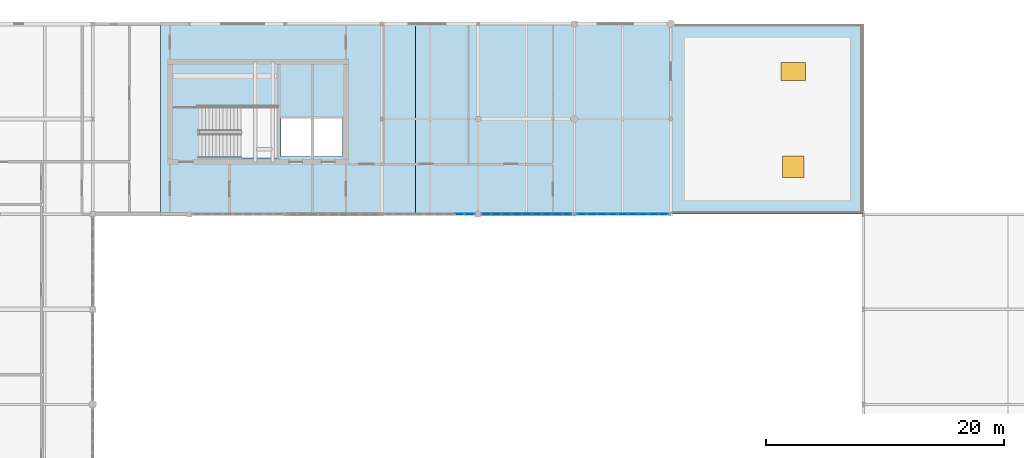
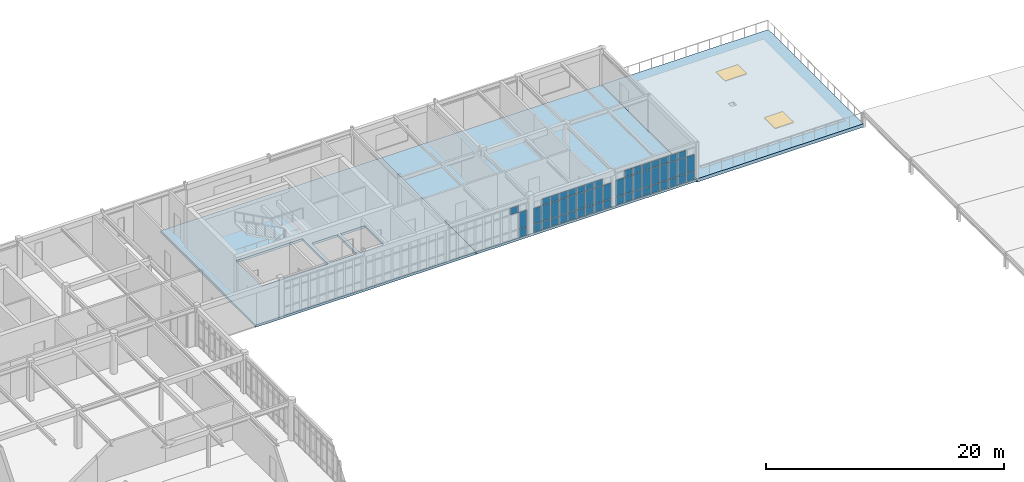
# One storey, part 27 of 36: 53 plates, 3 slabs, 2 windows, 2 openings, 3 elements without a shape of their own.
"""IFC4 building model written with IfcOpenShell, lengths in metres."""

import ifcopenshell
import ifcopenshell.guid

model = None  # the IFC model being written
_history = None  # IfcOwnerHistory: only IFC2X3 demands one
_inside = {}  # id of a spatial element -> (the spatial element, [elements in it])
_under = {}  # id of a project, library or spatial element -> (it, [spatial elements below it])
_declared = {}  # id of a project -> (the project, [libraries it declares])
_typed = {}  # id of a type object -> (the type object, [elements of that type])
_made_of = {}  # id of a material, layer set ... -> (it, [elements and type objects made of it])


def new_model(schema):
    """Start an empty IFC model of exactly this schema.

    Asked for "IFC4X3", IfcOpenShell would pick the latest addendum, in which some entities
    have other attributes; the version numbers below select the first issue.
    IFC2X3 requires an IfcOwnerHistory on every rooted entity: one is made here for all.
    """
    global model, _history
    if schema == "IFC4X3":
        model = ifcopenshell.file(schema_version=(4, 3, 0, 0))
    else:
        model = ifcopenshell.file(schema=schema)
    _inside.clear()
    _under.clear()
    _declared.clear()
    _typed.clear()
    _made_of.clear()
    _history = None
    if model.schema == "IFC2X3":
        org = make("IfcOrganization", Name="unknown")
        user = make(
            "IfcPersonAndOrganization",
            ThePerson=make("IfcPerson", FamilyName="unknown"),
            TheOrganization=org,
        )
        app = make(
            "IfcApplication",
            ApplicationDeveloper=org,
            Version="unknown",
            ApplicationFullName="unknown",
            ApplicationIdentifier="unknown",
        )
        _history = make(
            "IfcOwnerHistory",
            OwningUser=user,
            OwningApplication=app,
            ChangeAction="ADDED",
            CreationDate=0,
        )
    return model


def make(cls, **values):
    """One entity of the class cls with the attributes given. An attribute that is None is left unset."""
    return model.create_entity(
        cls, **{name: value for name, value in values.items() if value is not None}
    )


def rooted(cls, **values):
    """An entity with a GlobalId (a new one), such as an element, a storey or a relation."""
    return make(cls, GlobalId=ifcopenshell.guid.new(), OwnerHistory=_history, **values)


def si_unit(unit_type, name, prefix=None):
    """IfcSIUnit, for example si_unit("LENGTHUNIT", "METRE", prefix="MILLI")."""
    return make("IfcSIUnit", UnitType=unit_type, Prefix=prefix, Name=name)


def assignment(units):
    """IfcUnitAssignment: the units of a project."""
    return None if units is None else make("IfcUnitAssignment", Units=units)


def point(xyz):
    """IfcCartesianPoint."""
    return None if xyz is None else make("IfcCartesianPoint", Coordinates=xyz)


def direction(xyz):
    """IfcDirection."""
    return None if xyz is None else make("IfcDirection", DirectionRatios=xyz)


def frame(location, z_axis=None, x_axis=None):
    """IfcAxis2Placement3D, a coordinate frame: its origin and axes. An axis left out is left unset."""
    return make(
        "IfcAxis2Placement3D",
        Location=point(location),
        Axis=direction(z_axis),
        RefDirection=direction(x_axis),
    )


def frame_2d(location, x_axis=None):
    """IfcAxis2Placement2D, a coordinate frame in the plane: its origin and x axis."""
    return make(
        "IfcAxis2Placement2D", Location=point(location), RefDirection=direction(x_axis)
    )


def origin():
    """The frame at (0, 0, 0) with its axes left unset."""
    return frame((0.0, 0.0, 0.0))


def origin_2d():
    """The frame at (0, 0) in the plane with its x axis left unset."""
    return frame_2d((0.0, 0.0))


def place(relative_to, where):
    """IfcLocalPlacement: puts the frame where relative to a parent placement (None: the world)."""
    return make(
        "IfcLocalPlacement", PlacementRelTo=relative_to, RelativePlacement=where
    )


def context(
    kind, dimensions, precision=None, world=None, true_north=None, identifier=None
):
    """IfcGeometricRepresentationContext, for example the 3D "Model" context."""
    return make(
        "IfcGeometricRepresentationContext",
        ContextIdentifier=identifier,
        ContextType=kind,
        CoordinateSpaceDimension=dimensions,
        Precision=precision,
        WorldCoordinateSystem=world,
        TrueNorth=true_north,
    )


def subcontext(parent, identifier, kind, view, scale=None):
    """IfcGeometricRepresentationSubContext, for example "Body" below "Model"."""
    return make(
        "IfcGeometricRepresentationSubContext",
        ContextIdentifier=identifier,
        ContextType=kind,
        ParentContext=parent,
        TargetScale=scale,
        TargetView=view,
    )


def project(units=None, contexts=None):
    """IfcProject with its units and contexts."""
    return rooted(
        "IfcProject",
        Name="project",
        RepresentationContexts=contexts,
        UnitsInContext=assignment(units),
    )


def spatial(cls, under=None, at=None, **own):
    """A site, building, storey or space (cls), placed at a placement, below another one or the project."""
    s = rooted(cls, ObjectPlacement=at, **own)
    if under is not None:
        _under.setdefault(under.id(), (under, []))[1].append(s)
    return s


def polyline(points):
    """IfcPolyline through the points."""
    return make("IfcPolyline", Points=[point(p) for p in points])


def profile(cls, at=None, kind="AREA", **sizes):
    """A parametric profile (cls). Its sizes go by their IFC names, for example OverallWidth=200.0."""
    return make(cls, ProfileType=kind, Position=at, **sizes)


def rectangle(**sizes):
    """IfcRectangleProfileDef."""
    return profile("IfcRectangleProfileDef", **sizes)


def outline(outer, holes=None, kind="AREA"):
    """IfcArbitraryClosedProfileDef: a profile drawn as a closed curve; with holes, ...WithVoids."""
    if holes is None:
        return make("IfcArbitraryClosedProfileDef", ProfileType=kind, OuterCurve=outer)
    return make(
        "IfcArbitraryProfileDefWithVoids",
        ProfileType=kind,
        OuterCurve=outer,
        InnerCurves=holes,
    )


def extrude(swept, where, along, depth):
    """IfcExtrudedAreaSolid: the profile swept, set in the frame where, extruded along a direction by depth."""
    return make(
        "IfcExtrudedAreaSolid",
        SweptArea=swept,
        Position=where,
        ExtrudedDirection=direction(along),
        Depth=depth,
    )


def shape(context_of_items, identifier, shape_type, items):
    """IfcShapeRepresentation: the items that make up one representation, for example the "Body"."""
    return make(
        "IfcShapeRepresentation",
        ContextOfItems=context_of_items,
        RepresentationIdentifier=identifier,
        RepresentationType=shape_type,
        Items=items,
    )


def material(Name=None, Category=None):
    """IfcMaterial."""
    return make("IfcMaterial", Name=Name, Category=Category)


def layer(
    of_material, thickness, ventilated=None, Name=None, Category=None, Priority=None
):
    """IfcMaterialLayer: one layer of a wall or slab, of a material (None: an air gap)."""
    return make(
        "IfcMaterialLayer",
        Material=of_material,
        LayerThickness=thickness,
        IsVentilated=ventilated,
        Name=Name,
        Category=Category,
        Priority=Priority,
    )


def layer_set(layers, Name=None):
    """IfcMaterialLayerSet."""
    return make("IfcMaterialLayerSet", MaterialLayers=layers, LayerSetName=Name)


def made_of(thing, what):
    """Note that an element or type object is made of a material, layer set ...; save() writes the relation."""
    if what is not None:
        _made_of.setdefault(what.id(), (what, []))[1].append(thing)
    return thing


def type_object(cls, material=None, **own):
    """A type object (cls), such as IfcWallType, which elements share."""
    return made_of(rooted(cls, **own), material)


def element(
    cls,
    number,
    at=None,
    inside=None,
    cuts=None,
    type_object=None,
    material=None,
    context=None,
    identifier="Body",
    shape_type=None,
    held_by="IfcProductDefinitionShape",
    body=None,
    shapes=None,
    **own,
):
    """One element of the class cls, such as IfcWall. Its Tag is "e" and its number.

    at: its placement. inside: the storey or other place that contains it. cuts: it is an
    opening in that element (IfcRelVoidsElement). A single representation is given by context,
    identifier, shape_type and body (its items); several are given by shapes. held_by: the class
    of the entity that holds the representations. save() writes the other relations.
    """
    e = rooted(cls, Tag="e%d" % number, ObjectPlacement=at, **own)
    if body is not None:
        shapes = [shape(context, identifier, shape_type, body)]
    if shapes is not None:
        e.Representation = make(held_by, Representations=shapes)
    if inside is not None:
        _inside.setdefault(inside.id(), (inside, []))[1].append(e)
    if cuts is not None:
        rooted(
            "IfcRelVoidsElement", RelatingBuildingElement=cuts, RelatedOpeningElement=e
        )
    if type_object is not None:
        _typed.setdefault(type_object.id(), (type_object, []))[1].append(e)
    return made_of(e, material)


def fill(opening, filler):
    """IfcRelFillsElement: the door or window that sits in an opening."""
    return rooted(
        "IfcRelFillsElement",
        RelatingOpeningElement=opening,
        RelatedBuildingElement=filler,
    )


def aggregate(whole, parts):
    """IfcRelAggregates: a whole, such as a stair, and the parts it consists of."""
    return rooted("IfcRelAggregates", RelatingObject=whole, RelatedObjects=parts)


def save(model, path):
    """Write the relations noted so far, then the file.

    IfcRelAggregates (storeys below a building ...), IfcRelContainedInSpatialStructure (elements
    in a storey), IfcRelDefinesByType, IfcRelAssociatesMaterial and IfcRelDeclares: one each for
    every whole, place, type object, material and project.
    """
    for whole, parts in _under.values():
        aggregate(whole, parts)
    for where, things in _inside.values():
        rooted(
            "IfcRelContainedInSpatialStructure",
            RelatedElements=things,
            RelatingStructure=where,
        )
    for kind, things in _typed.values():
        rooted("IfcRelDefinesByType", RelatedObjects=things, RelatingType=kind)
    for what, things in _made_of.values():
        rooted("IfcRelAssociatesMaterial", RelatedObjects=things, RelatingMaterial=what)
    for by, libraries in _declared.values():
        rooted("IfcRelDeclares", RelatingContext=by, RelatedDefinitions=libraries)
    model.write(path)


model = new_model("IFC4")

# Units and contexts
model_context = context("Model", 3, precision=1e-05, world=origin(), true_north=direction((0.0, 1.0)))
body_context = subcontext(model_context, "Body", "Model", "MODEL_VIEW")
ifc_project = project(units=[si_unit("LENGTHUNIT", "METRE"), si_unit("AREAUNIT", "SQUARE_METRE"), si_unit("VOLUMEUNIT", "CUBIC_METRE"), si_unit("PLANEANGLEUNIT", "RADIAN"), si_unit("MASSUNIT", "GRAM", prefix="KILO")], contexts=[model_context])

# Site, building, storey
site_placement = place(None, origin())
site = spatial("IfcSite", under=ifc_project, at=site_placement, CompositionType="ELEMENT")
building_placement = place(site_placement, origin())
building = spatial("IfcBuilding", under=site, at=building_placement, Name="Tarnveldt Square Police Headquarters", CompositionType="ELEMENT")
storey_placement = place(building_placement, frame((0.0, 0.0, 24.89990234375)))
storey = spatial("IfcBuildingStorey", under=building, at=storey_placement, Name="L05", CompositionType="ELEMENT", Elevation=24.89990234375)

# Curtain wall, plates
ifc_material_1 = material(Name="Triple-glazed low-e laminated vision glass", Category="glass")
curtain_wall_type_1 = type_object("IfcCurtainWallType", Name="CW-LB-769x339", PredefinedType="USERDEFINED", material=ifc_material_1)
curtain_wall_1_placement = place(storey_placement, origin())
curtain_wall_1 = element("IfcCurtainWall", 1, at=curtain_wall_1_placement, inside=storey, type_object=curtain_wall_type_1, Name="L05 Curtain Wall CW-L05-135", ObjectType="GLAZED CURTAIN WALL", PredefinedType="USERDEFINED")
ifc_layer_1 = layer(ifc_material_1, 0.028076171875)
ifc_layer_set_1 = layer_set([ifc_layer_1], Name="Triple-glazed low-e laminated vision glass")
plate_type = type_object("IfcPlateType", Name="CWP-VIS-28", PredefinedType="CURTAIN_PANEL", material=ifc_layer_set_1)
plate_1_placement = place(storey_placement, frame((71.353271484375, 96.0, 2.67138671875), z_axis=(0.0, 0.0, 1.0), x_axis=(1.0, 0.0, 0.0)))
plate_1 = element("IfcPlate", 2, at=plate_1_placement, type_object=plate_type, Name="CW-LB82 panel 8.3", PredefinedType="CURTAIN_PANEL", context=body_context, shape_type="SweptSolid", body=[
    extrude(rectangle(XDim=0.779541015625, YDim=0.028076171875, at=origin_2d()), origin(), (0.0, 0.0, 1.0), 0.652587890625),
])
plate_2_placement = place(storey_placement, frame((72.18896484375, 96.0, 0.06494140625), z_axis=(0.0, 0.0, 1.0), x_axis=(1.0, 0.0, 0.0)))
plate_2 = element("IfcPlate", 3, at=plate_2_placement, type_object=plate_type, Name="CW-LB82 panel 9.1", PredefinedType="CURTAIN_PANEL", context=body_context, shape_type="SweptSolid", body=[
    extrude(rectangle(XDim=0.741943359375, YDim=0.028076171875, at=origin_2d()), origin(), (0.0, 0.0, 1.0), 0.802490234375),
])
plate_3_placement = place(storey_placement, frame((72.18896484375, 96.0, 0.9326171875), z_axis=(0.0, 0.0, 1.0), x_axis=(1.0, 0.0, 0.0)))
plate_3 = element("IfcPlate", 4, at=plate_3_placement, type_object=plate_type, Name="CW-LB82 panel 9.2", PredefinedType="CURTAIN_PANEL", context=body_context, shape_type="SweptSolid", body=[
    extrude(rectangle(XDim=0.741943359375, YDim=0.028076171875, at=origin_2d()), origin(), (0.0, 0.0, 1.0), 1.674072265625),
])
aggregate(curtain_wall_1, [plate_1, plate_2, plate_3])

curtain_wall_type_2 = type_object("IfcCurtainWallType", Name="CW-LB-766x330", PredefinedType="USERDEFINED", material=ifc_material_1)
curtain_wall_2_placement = place(storey_placement, origin())
curtain_wall_2 = element("IfcCurtainWall", 5, at=curtain_wall_2_placement, inside=storey, type_object=curtain_wall_type_2, Name="L05 Curtain Wall CW-L05-136", ObjectType="GLAZED CURTAIN WALL", PredefinedType="USERDEFINED")
plate_4_placement = place(storey_placement, frame((73.609130859375, 96.0, 0.06494140625), z_axis=(0.0, 0.0, 1.0), x_axis=(1.0, 0.0, 0.0)))
plate_4 = element("IfcPlate", 6, at=plate_4_placement, type_object=plate_type, Name="CW-LB83 panel 1.1", PredefinedType="CURTAIN_PANEL", context=body_context, shape_type="SweptSolid", body=[
    extrude(rectangle(XDim=0.73828125, YDim=0.028076171875, at=origin_2d()), origin(), (0.0, 0.0, 1.0), 0.802490234375),
])
plate_5_placement = place(storey_placement, frame((73.609130859375, 96.0, 0.9326171875), z_axis=(0.0, 0.0, 1.0), x_axis=(1.0, 0.0, 0.0)))
plate_5 = element("IfcPlate", 7, at=plate_5_placement, type_object=plate_type, Name="CW-LB83 panel 1.2", PredefinedType="CURTAIN_PANEL", context=body_context, shape_type="SweptSolid", body=[
    extrude(rectangle(XDim=0.73828125, YDim=0.028076171875, at=origin_2d()), origin(), (0.0, 0.0, 1.0), 1.5869140625),
])
plate_6_placement = place(storey_placement, frame((74.44140625, 96.0, 0.06494140625), z_axis=(0.0, 0.0, 1.0), x_axis=(1.0, 0.0, 0.0)))
plate_6 = element("IfcPlate", 8, at=plate_6_placement, type_object=plate_type, Name="CW-LB83 panel 2.1", PredefinedType="CURTAIN_PANEL", context=body_context, shape_type="SweptSolid", body=[
    extrude(rectangle(XDim=0.77587890625, YDim=0.028076171875, at=origin_2d()), origin(), (0.0, 0.0, 1.0), 0.802490234375),
])
plate_7_placement = place(storey_placement, frame((74.44140625, 96.0, 0.9326171875), z_axis=(0.0, 0.0, 1.0), x_axis=(1.0, 0.0, 0.0)))
plate_7 = element("IfcPlate", 9, at=plate_7_placement, type_object=plate_type, Name="CW-LB83 panel 2.2", PredefinedType="CURTAIN_PANEL", context=body_context, shape_type="SweptSolid", body=[
    extrude(rectangle(XDim=0.77587890625, YDim=0.028076171875, at=origin_2d()), origin(), (0.0, 0.0, 1.0), 1.5869140625),
])
plate_8_placement = place(storey_placement, frame((74.44140625, 96.0, 2.58447265625), z_axis=(0.0, 0.0, 1.0), x_axis=(1.0, 0.0, 0.0)))
plate_8 = element("IfcPlate", 10, at=plate_8_placement, type_object=plate_type, Name="CW-LB83 panel 2.3", PredefinedType="CURTAIN_PANEL", context=body_context, shape_type="SweptSolid", body=[
    extrude(rectangle(XDim=0.77587890625, YDim=0.028076171875, at=origin_2d()), origin(), (0.0, 0.0, 1.0), 0.652587890625),
])
plate_9_placement = place(storey_placement, frame((75.292236328125, 96.0, 0.06494140625), z_axis=(0.0, 0.0, 1.0), x_axis=(1.0, 0.0, 0.0)))
plate_9 = element("IfcPlate", 11, at=plate_9_placement, type_object=plate_type, Name="CW-LB83 panel 3.1", PredefinedType="CURTAIN_PANEL", context=body_context, shape_type="SweptSolid", body=[
    extrude(rectangle(XDim=0.77587890625, YDim=0.028076171875, at=origin_2d()), origin(), (0.0, 0.0, 1.0), 0.802490234375),
])
plate_10_placement = place(storey_placement, frame((75.292236328125, 96.0, 0.9326171875), z_axis=(0.0, 0.0, 1.0), x_axis=(1.0, 0.0, 0.0)))
plate_10 = element("IfcPlate", 12, at=plate_10_placement, type_object=plate_type, Name="CW-LB83 panel 3.2", PredefinedType="CURTAIN_PANEL", context=body_context, shape_type="SweptSolid", body=[
    extrude(rectangle(XDim=0.77587890625, YDim=0.028076171875, at=origin_2d()), origin(), (0.0, 0.0, 1.0), 1.5869140625),
])
plate_11_placement = place(storey_placement, frame((75.292236328125, 96.0, 2.58447265625), z_axis=(0.0, 0.0, 1.0), x_axis=(1.0, 0.0, 0.0)))
plate_11 = element("IfcPlate", 13, at=plate_11_placement, type_object=plate_type, Name="CW-LB83 panel 3.3", PredefinedType="CURTAIN_PANEL", context=body_context, shape_type="SweptSolid", body=[
    extrude(rectangle(XDim=0.77587890625, YDim=0.028076171875, at=origin_2d()), origin(), (0.0, 0.0, 1.0), 0.652587890625),
])
plate_12_placement = place(storey_placement, frame((76.14306640625, 96.0, 0.06494140625), z_axis=(0.0, 0.0, 1.0), x_axis=(1.0, 0.0, 0.0)))
plate_12 = element("IfcPlate", 14, at=plate_12_placement, type_object=plate_type, Name="CW-LB83 panel 4.1", PredefinedType="CURTAIN_PANEL", context=body_context, shape_type="SweptSolid", body=[
    extrude(rectangle(XDim=0.77587890625, YDim=0.028076171875, at=origin_2d()), origin(), (0.0, 0.0, 1.0), 0.802490234375),
])
plate_13_placement = place(storey_placement, frame((76.14306640625, 96.0, 0.9326171875), z_axis=(0.0, 0.0, 1.0), x_axis=(1.0, 0.0, 0.0)))
plate_13 = element("IfcPlate", 15, at=plate_13_placement, type_object=plate_type, Name="CW-LB83 panel 4.2", PredefinedType="CURTAIN_PANEL", context=body_context, shape_type="SweptSolid", body=[
    extrude(rectangle(XDim=0.77587890625, YDim=0.028076171875, at=origin_2d()), origin(), (0.0, 0.0, 1.0), 1.5869140625),
])
plate_14_placement = place(storey_placement, frame((76.14306640625, 96.0, 2.58447265625), z_axis=(0.0, 0.0, 1.0), x_axis=(1.0, 0.0, 0.0)))
plate_14 = element("IfcPlate", 16, at=plate_14_placement, type_object=plate_type, Name="CW-LB83 panel 4.3", PredefinedType="CURTAIN_PANEL", context=body_context, shape_type="SweptSolid", body=[
    extrude(rectangle(XDim=0.77587890625, YDim=0.028076171875, at=origin_2d()), origin(), (0.0, 0.0, 1.0), 0.652587890625),
])
plate_15_placement = place(storey_placement, frame((76.993896484375, 96.0, 0.06494140625), z_axis=(0.0, 0.0, 1.0), x_axis=(1.0, 0.0, 0.0)))
plate_15 = element("IfcPlate", 17, at=plate_15_placement, type_object=plate_type, Name="CW-LB83 panel 5.1", PredefinedType="CURTAIN_PANEL", context=body_context, shape_type="SweptSolid", body=[
    extrude(rectangle(XDim=0.77587890625, YDim=0.028076171875, at=origin_2d()), origin(), (0.0, 0.0, 1.0), 0.802490234375),
])
plate_16_placement = place(storey_placement, frame((76.993896484375, 96.0, 0.9326171875), z_axis=(0.0, 0.0, 1.0), x_axis=(1.0, 0.0, 0.0)))
plate_16 = element("IfcPlate", 18, at=plate_16_placement, type_object=plate_type, Name="CW-LB83 panel 5.2", PredefinedType="CURTAIN_PANEL", context=body_context, shape_type="SweptSolid", body=[
    extrude(rectangle(XDim=0.77587890625, YDim=0.028076171875, at=origin_2d()), origin(), (0.0, 0.0, 1.0), 1.5869140625),
])
plate_17_placement = place(storey_placement, frame((76.993896484375, 96.0, 2.58447265625), z_axis=(0.0, 0.0, 1.0), x_axis=(1.0, 0.0, 0.0)))
plate_17 = element("IfcPlate", 19, at=plate_17_placement, type_object=plate_type, Name="CW-LB83 panel 5.3", PredefinedType="CURTAIN_PANEL", context=body_context, shape_type="SweptSolid", body=[
    extrude(rectangle(XDim=0.77587890625, YDim=0.028076171875, at=origin_2d()), origin(), (0.0, 0.0, 1.0), 0.652587890625),
])
plate_18_placement = place(storey_placement, frame((77.844970703125, 96.0, 0.06494140625), z_axis=(0.0, 0.0, 1.0), x_axis=(1.0, 0.0, 0.0)))
plate_18 = element("IfcPlate", 20, at=plate_18_placement, type_object=plate_type, Name="CW-LB83 panel 6.1", PredefinedType="CURTAIN_PANEL", context=body_context, shape_type="SweptSolid", body=[
    extrude(rectangle(XDim=0.77587890625, YDim=0.028076171875, at=origin_2d()), origin(), (0.0, 0.0, 1.0), 0.802490234375),
])
plate_19_placement = place(storey_placement, frame((77.844970703125, 96.0, 0.9326171875), z_axis=(0.0, 0.0, 1.0), x_axis=(1.0, 0.0, 0.0)))
plate_19 = element("IfcPlate", 21, at=plate_19_placement, type_object=plate_type, Name="CW-LB83 panel 6.2", PredefinedType="CURTAIN_PANEL", context=body_context, shape_type="SweptSolid", body=[
    extrude(rectangle(XDim=0.77587890625, YDim=0.028076171875, at=origin_2d()), origin(), (0.0, 0.0, 1.0), 1.5869140625),
])
plate_20_placement = place(storey_placement, frame((77.844970703125, 96.0, 2.58447265625), z_axis=(0.0, 0.0, 1.0), x_axis=(1.0, 0.0, 0.0)))
plate_20 = element("IfcPlate", 22, at=plate_20_placement, type_object=plate_type, Name="CW-LB83 panel 6.3", PredefinedType="CURTAIN_PANEL", context=body_context, shape_type="SweptSolid", body=[
    extrude(rectangle(XDim=0.77587890625, YDim=0.028076171875, at=origin_2d()), origin(), (0.0, 0.0, 1.0), 0.652587890625),
])
plate_21_placement = place(storey_placement, frame((78.69580078125, 96.0, 0.06494140625), z_axis=(0.0, 0.0, 1.0), x_axis=(1.0, 0.0, 0.0)))
plate_21 = element("IfcPlate", 23, at=plate_21_placement, type_object=plate_type, Name="CW-LB83 panel 7.1", PredefinedType="CURTAIN_PANEL", context=body_context, shape_type="SweptSolid", body=[
    extrude(rectangle(XDim=0.77587890625, YDim=0.028076171875, at=origin_2d()), origin(), (0.0, 0.0, 1.0), 0.802490234375),
])
plate_22_placement = place(storey_placement, frame((78.69580078125, 96.0, 0.9326171875), z_axis=(0.0, 0.0, 1.0), x_axis=(1.0, 0.0, 0.0)))
plate_22 = element("IfcPlate", 24, at=plate_22_placement, type_object=plate_type, Name="CW-LB83 panel 7.2", PredefinedType="CURTAIN_PANEL", context=body_context, shape_type="SweptSolid", body=[
    extrude(rectangle(XDim=0.77587890625, YDim=0.028076171875, at=origin_2d()), origin(), (0.0, 0.0, 1.0), 1.5869140625),
])
plate_23_placement = place(storey_placement, frame((78.69580078125, 96.0, 2.58447265625), z_axis=(0.0, 0.0, 1.0), x_axis=(1.0, 0.0, 0.0)))
plate_23 = element("IfcPlate", 25, at=plate_23_placement, type_object=plate_type, Name="CW-LB83 panel 7.3", PredefinedType="CURTAIN_PANEL", context=body_context, shape_type="SweptSolid", body=[
    extrude(rectangle(XDim=0.77587890625, YDim=0.028076171875, at=origin_2d()), origin(), (0.0, 0.0, 1.0), 0.652587890625),
])
plate_24_placement = place(storey_placement, frame((79.546630859375, 96.0, 0.06494140625), z_axis=(0.0, 0.0, 1.0), x_axis=(1.0, 0.0, 0.0)))
plate_24 = element("IfcPlate", 26, at=plate_24_placement, type_object=plate_type, Name="CW-LB83 panel 8.1", PredefinedType="CURTAIN_PANEL", context=body_context, shape_type="SweptSolid", body=[
    extrude(rectangle(XDim=0.77587890625, YDim=0.028076171875, at=origin_2d()), origin(), (0.0, 0.0, 1.0), 0.802490234375),
])
plate_25_placement = place(storey_placement, frame((79.546630859375, 96.0, 0.9326171875), z_axis=(0.0, 0.0, 1.0), x_axis=(1.0, 0.0, 0.0)))
plate_25 = element("IfcPlate", 27, at=plate_25_placement, type_object=plate_type, Name="CW-LB83 panel 8.2", PredefinedType="CURTAIN_PANEL", context=body_context, shape_type="SweptSolid", body=[
    extrude(rectangle(XDim=0.77587890625, YDim=0.028076171875, at=origin_2d()), origin(), (0.0, 0.0, 1.0), 1.5869140625),
])
plate_26_placement = place(storey_placement, frame((79.546630859375, 96.0, 2.58447265625), z_axis=(0.0, 0.0, 1.0), x_axis=(1.0, 0.0, 0.0)))
plate_26 = element("IfcPlate", 28, at=plate_26_placement, type_object=plate_type, Name="CW-LB83 panel 8.3", PredefinedType="CURTAIN_PANEL", context=body_context, shape_type="SweptSolid", body=[
    extrude(rectangle(XDim=0.77587890625, YDim=0.028076171875, at=origin_2d()), origin(), (0.0, 0.0, 1.0), 0.652587890625),
])
plate_27_placement = place(storey_placement, frame((80.37890625, 96.0, 0.06494140625), z_axis=(0.0, 0.0, 1.0), x_axis=(1.0, 0.0, 0.0)))
plate_27 = element("IfcPlate", 29, at=plate_27_placement, type_object=plate_type, Name="CW-LB83 panel 9.1", PredefinedType="CURTAIN_PANEL", context=body_context, shape_type="SweptSolid", body=[
    extrude(rectangle(XDim=0.73828125, YDim=0.028076171875, at=origin_2d()), origin(), (0.0, 0.0, 1.0), 0.802490234375),
])
plate_28_placement = place(storey_placement, frame((80.37890625, 96.0, 0.9326171875), z_axis=(0.0, 0.0, 1.0), x_axis=(1.0, 0.0, 0.0)))
plate_28 = element("IfcPlate", 30, at=plate_28_placement, type_object=plate_type, Name="CW-LB83 panel 9.2", PredefinedType="CURTAIN_PANEL", context=body_context, shape_type="SweptSolid", body=[
    extrude(rectangle(XDim=0.73828125, YDim=0.028076171875, at=origin_2d()), origin(), (0.0, 0.0, 1.0), 1.5869140625),
])
aggregate(curtain_wall_2, [plate_4, plate_5, plate_6, plate_7, plate_8, plate_9, plate_10, plate_11, plate_12, plate_13, plate_14, plate_15, plate_16, plate_17, plate_18, plate_19, plate_20, plate_21, plate_22, plate_23, plate_24, plate_25, plate_26, plate_27, plate_28])

curtain_wall_type_3 = type_object("IfcCurtainWallType", Name="CW-LB-778x339", PredefinedType="USERDEFINED", material=ifc_material_1)
curtain_wall_3_placement = place(storey_placement, origin())
curtain_wall_3 = element("IfcCurtainWall", 31, at=curtain_wall_3_placement, inside=storey, type_object=curtain_wall_type_3, Name="L05 Curtain Wall CW-L05-137", ObjectType="GLAZED CURTAIN WALL", PredefinedType="USERDEFINED")
plate_29_placement = place(storey_placement, frame((81.6279296875, 96.0, 0.06494140625), z_axis=(0.0, 0.0, 1.0), x_axis=(1.0, 0.0, 0.0)))
plate_29 = element("IfcPlate", 32, at=plate_29_placement, type_object=plate_type, Name="CW-LB84 panel 1.1", PredefinedType="CURTAIN_PANEL", context=body_context, shape_type="SweptSolid", body=[
    extrude(rectangle(XDim=0.751953125, YDim=0.028076171875, at=origin_2d()), origin(), (0.0, 0.0, 1.0), 0.802490234375),
])
plate_30_placement = place(storey_placement, frame((81.6279296875, 96.0, 0.9326171875), z_axis=(0.0, 0.0, 1.0), x_axis=(1.0, 0.0, 0.0)))
plate_30 = element("IfcPlate", 33, at=plate_30_placement, type_object=plate_type, Name="CW-LB84 panel 1.2", PredefinedType="CURTAIN_PANEL", context=body_context, shape_type="SweptSolid", body=[
    extrude(rectangle(XDim=0.751953125, YDim=0.028076171875, at=origin_2d()), origin(), (0.0, 0.0, 1.0), 1.674072265625),
])
plate_31_placement = place(storey_placement, frame((82.473876953125, 96.0, 0.06494140625), z_axis=(0.0, 0.0, 1.0), x_axis=(1.0, 0.0, 0.0)))
plate_31 = element("IfcPlate", 34, at=plate_31_placement, type_object=plate_type, Name="CW-LB84 panel 2.1", PredefinedType="CURTAIN_PANEL", context=body_context, shape_type="SweptSolid", body=[
    extrude(rectangle(XDim=0.78955078125, YDim=0.028076171875, at=origin_2d()), origin(), (0.0, 0.0, 1.0), 0.802490234375),
])
plate_32_placement = place(storey_placement, frame((82.473876953125, 96.0, 0.9326171875), z_axis=(0.0, 0.0, 1.0), x_axis=(1.0, 0.0, 0.0)))
plate_32 = element("IfcPlate", 35, at=plate_32_placement, type_object=plate_type, Name="CW-LB84 panel 2.2", PredefinedType="CURTAIN_PANEL", context=body_context, shape_type="SweptSolid", body=[
    extrude(rectangle(XDim=0.78955078125, YDim=0.028076171875, at=origin_2d()), origin(), (0.0, 0.0, 1.0), 1.674072265625),
])
plate_33_placement = place(storey_placement, frame((82.473876953125, 96.0, 2.67138671875), z_axis=(0.0, 0.0, 1.0), x_axis=(1.0, 0.0, 0.0)))
plate_33 = element("IfcPlate", 36, at=plate_33_placement, type_object=plate_type, Name="CW-LB84 panel 2.3", PredefinedType="CURTAIN_PANEL", context=body_context, shape_type="SweptSolid", body=[
    extrude(rectangle(XDim=0.78955078125, YDim=0.028076171875, at=origin_2d()), origin(), (0.0, 0.0, 1.0), 0.652587890625),
])
plate_34_placement = place(storey_placement, frame((83.33837890625, 96.0, 0.06494140625), z_axis=(0.0, 0.0, 1.0), x_axis=(1.0, 0.0, 0.0)))
plate_34 = element("IfcPlate", 37, at=plate_34_placement, type_object=plate_type, Name="CW-LB84 panel 3.1", PredefinedType="CURTAIN_PANEL", context=body_context, shape_type="SweptSolid", body=[
    extrude(rectangle(XDim=0.78955078125, YDim=0.028076171875, at=origin_2d()), origin(), (0.0, 0.0, 1.0), 0.802490234375),
])
plate_35_placement = place(storey_placement, frame((83.33837890625, 96.0, 0.9326171875), z_axis=(0.0, 0.0, 1.0), x_axis=(1.0, 0.0, 0.0)))
plate_35 = element("IfcPlate", 38, at=plate_35_placement, type_object=plate_type, Name="CW-LB84 panel 3.2", PredefinedType="CURTAIN_PANEL", context=body_context, shape_type="SweptSolid", body=[
    extrude(rectangle(XDim=0.78955078125, YDim=0.028076171875, at=origin_2d()), origin(), (0.0, 0.0, 1.0), 1.674072265625),
])
plate_36_placement = place(storey_placement, frame((83.33837890625, 96.0, 2.67138671875), z_axis=(0.0, 0.0, 1.0), x_axis=(1.0, 0.0, 0.0)))
plate_36 = element("IfcPlate", 39, at=plate_36_placement, type_object=plate_type, Name="CW-LB84 panel 3.3", PredefinedType="CURTAIN_PANEL", context=body_context, shape_type="SweptSolid", body=[
    extrude(rectangle(XDim=0.78955078125, YDim=0.028076171875, at=origin_2d()), origin(), (0.0, 0.0, 1.0), 0.652587890625),
])
plate_37_placement = place(storey_placement, frame((84.202880859375, 96.0, 0.06494140625), z_axis=(0.0, 0.0, 1.0), x_axis=(1.0, 0.0, 0.0)))
plate_37 = element("IfcPlate", 40, at=plate_37_placement, type_object=plate_type, Name="CW-LB84 panel 4.1", PredefinedType="CURTAIN_PANEL", context=body_context, shape_type="SweptSolid", body=[
    extrude(rectangle(XDim=0.78955078125, YDim=0.028076171875, at=origin_2d()), origin(), (0.0, 0.0, 1.0), 0.802490234375),
])
plate_38_placement = place(storey_placement, frame((84.202880859375, 96.0, 0.9326171875), z_axis=(0.0, 0.0, 1.0), x_axis=(1.0, 0.0, 0.0)))
plate_38 = element("IfcPlate", 41, at=plate_38_placement, type_object=plate_type, Name="CW-LB84 panel 4.2", PredefinedType="CURTAIN_PANEL", context=body_context, shape_type="SweptSolid", body=[
    extrude(rectangle(XDim=0.78955078125, YDim=0.028076171875, at=origin_2d()), origin(), (0.0, 0.0, 1.0), 1.674072265625),
])
plate_39_placement = place(storey_placement, frame((84.202880859375, 96.0, 2.67138671875), z_axis=(0.0, 0.0, 1.0), x_axis=(1.0, 0.0, 0.0)))
plate_39 = element("IfcPlate", 42, at=plate_39_placement, type_object=plate_type, Name="CW-LB84 panel 4.3", PredefinedType="CURTAIN_PANEL", context=body_context, shape_type="SweptSolid", body=[
    extrude(rectangle(XDim=0.78955078125, YDim=0.028076171875, at=origin_2d()), origin(), (0.0, 0.0, 1.0), 0.652587890625),
])
plate_40_placement = place(storey_placement, frame((85.0673828125, 96.0, 0.06494140625), z_axis=(0.0, 0.0, 1.0), x_axis=(1.0, 0.0, 0.0)))
plate_40 = element("IfcPlate", 43, at=plate_40_placement, type_object=plate_type, Name="CW-LB84 panel 5.1", PredefinedType="CURTAIN_PANEL", context=body_context, shape_type="SweptSolid", body=[
    extrude(rectangle(XDim=0.78955078125, YDim=0.028076171875, at=origin_2d()), origin(), (0.0, 0.0, 1.0), 0.802490234375),
])
plate_41_placement = place(storey_placement, frame((85.0673828125, 96.0, 0.9326171875), z_axis=(0.0, 0.0, 1.0), x_axis=(1.0, 0.0, 0.0)))
plate_41 = element("IfcPlate", 44, at=plate_41_placement, type_object=plate_type, Name="CW-LB84 panel 5.2", PredefinedType="CURTAIN_PANEL", context=body_context, shape_type="SweptSolid", body=[
    extrude(rectangle(XDim=0.78955078125, YDim=0.028076171875, at=origin_2d()), origin(), (0.0, 0.0, 1.0), 1.674072265625),
])
plate_42_placement = place(storey_placement, frame((85.0673828125, 96.0, 2.67138671875), z_axis=(0.0, 0.0, 1.0), x_axis=(1.0, 0.0, 0.0)))
plate_42 = element("IfcPlate", 45, at=plate_42_placement, type_object=plate_type, Name="CW-LB84 panel 5.3", PredefinedType="CURTAIN_PANEL", context=body_context, shape_type="SweptSolid", body=[
    extrude(rectangle(XDim=0.78955078125, YDim=0.028076171875, at=origin_2d()), origin(), (0.0, 0.0, 1.0), 0.652587890625),
])
plate_43_placement = place(storey_placement, frame((85.93212890625, 96.0, 0.06494140625), z_axis=(0.0, 0.0, 1.0), x_axis=(1.0, 0.0, 0.0)))
plate_43 = element("IfcPlate", 46, at=plate_43_placement, type_object=plate_type, Name="CW-LB84 panel 6.1", PredefinedType="CURTAIN_PANEL", context=body_context, shape_type="SweptSolid", body=[
    extrude(rectangle(XDim=0.78955078125, YDim=0.028076171875, at=origin_2d()), origin(), (0.0, 0.0, 1.0), 0.802490234375),
])
plate_44_placement = place(storey_placement, frame((85.93212890625, 96.0, 0.9326171875), z_axis=(0.0, 0.0, 1.0), x_axis=(1.0, 0.0, 0.0)))
plate_44 = element("IfcPlate", 47, at=plate_44_placement, type_object=plate_type, Name="CW-LB84 panel 6.2", PredefinedType="CURTAIN_PANEL", context=body_context, shape_type="SweptSolid", body=[
    extrude(rectangle(XDim=0.78955078125, YDim=0.028076171875, at=origin_2d()), origin(), (0.0, 0.0, 1.0), 1.674072265625),
])
plate_45_placement = place(storey_placement, frame((85.93212890625, 96.0, 2.67138671875), z_axis=(0.0, 0.0, 1.0), x_axis=(1.0, 0.0, 0.0)))
plate_45 = element("IfcPlate", 48, at=plate_45_placement, type_object=plate_type, Name="CW-LB84 panel 6.3", PredefinedType="CURTAIN_PANEL", context=body_context, shape_type="SweptSolid", body=[
    extrude(rectangle(XDim=0.78955078125, YDim=0.028076171875, at=origin_2d()), origin(), (0.0, 0.0, 1.0), 0.652587890625),
])
plate_46_placement = place(storey_placement, frame((86.796630859375, 96.0, 0.06494140625), z_axis=(0.0, 0.0, 1.0), x_axis=(1.0, 0.0, 0.0)))
plate_46 = element("IfcPlate", 49, at=plate_46_placement, type_object=plate_type, Name="CW-LB84 panel 7.1", PredefinedType="CURTAIN_PANEL", context=body_context, shape_type="SweptSolid", body=[
    extrude(rectangle(XDim=0.78955078125, YDim=0.028076171875, at=origin_2d()), origin(), (0.0, 0.0, 1.0), 0.802490234375),
])
plate_47_placement = place(storey_placement, frame((86.796630859375, 96.0, 0.9326171875), z_axis=(0.0, 0.0, 1.0), x_axis=(1.0, 0.0, 0.0)))
plate_47 = element("IfcPlate", 50, at=plate_47_placement, type_object=plate_type, Name="CW-LB84 panel 7.2", PredefinedType="CURTAIN_PANEL", context=body_context, shape_type="SweptSolid", body=[
    extrude(rectangle(XDim=0.78955078125, YDim=0.028076171875, at=origin_2d()), origin(), (0.0, 0.0, 1.0), 1.674072265625),
])
plate_48_placement = place(storey_placement, frame((86.796630859375, 96.0, 2.67138671875), z_axis=(0.0, 0.0, 1.0), x_axis=(1.0, 0.0, 0.0)))
plate_48 = element("IfcPlate", 51, at=plate_48_placement, type_object=plate_type, Name="CW-LB84 panel 7.3", PredefinedType="CURTAIN_PANEL", context=body_context, shape_type="SweptSolid", body=[
    extrude(rectangle(XDim=0.78955078125, YDim=0.028076171875, at=origin_2d()), origin(), (0.0, 0.0, 1.0), 0.652587890625),
])
plate_49_placement = place(storey_placement, frame((87.6611328125, 96.0, 0.06494140625), z_axis=(0.0, 0.0, 1.0), x_axis=(1.0, 0.0, 0.0)))
plate_49 = element("IfcPlate", 52, at=plate_49_placement, type_object=plate_type, Name="CW-LB84 panel 8.1", PredefinedType="CURTAIN_PANEL", context=body_context, shape_type="SweptSolid", body=[
    extrude(rectangle(XDim=0.78955078125, YDim=0.028076171875, at=origin_2d()), origin(), (0.0, 0.0, 1.0), 0.802490234375),
])
plate_50_placement = place(storey_placement, frame((87.6611328125, 96.0, 0.9326171875), z_axis=(0.0, 0.0, 1.0), x_axis=(1.0, 0.0, 0.0)))
plate_50 = element("IfcPlate", 53, at=plate_50_placement, type_object=plate_type, Name="CW-LB84 panel 8.2", PredefinedType="CURTAIN_PANEL", context=body_context, shape_type="SweptSolid", body=[
    extrude(rectangle(XDim=0.78955078125, YDim=0.028076171875, at=origin_2d()), origin(), (0.0, 0.0, 1.0), 1.674072265625),
])
plate_51_placement = place(storey_placement, frame((87.6611328125, 96.0, 2.67138671875), z_axis=(0.0, 0.0, 1.0), x_axis=(1.0, 0.0, 0.0)))
plate_51 = element("IfcPlate", 54, at=plate_51_placement, type_object=plate_type, Name="CW-LB84 panel 8.3", PredefinedType="CURTAIN_PANEL", context=body_context, shape_type="SweptSolid", body=[
    extrude(rectangle(XDim=0.78955078125, YDim=0.028076171875, at=origin_2d()), origin(), (0.0, 0.0, 1.0), 0.652587890625),
])
plate_52_placement = place(storey_placement, frame((88.507080078125, 96.0, 0.06494140625), z_axis=(0.0, 0.0, 1.0), x_axis=(1.0, 0.0, 0.0)))
plate_52 = element("IfcPlate", 55, at=plate_52_placement, type_object=plate_type, Name="CW-LB84 panel 9.1", PredefinedType="CURTAIN_PANEL", context=body_context, shape_type="SweptSolid", body=[
    extrude(rectangle(XDim=0.751953125, YDim=0.028076171875, at=origin_2d()), origin(), (0.0, 0.0, 1.0), 0.802490234375),
])
plate_53_placement = place(storey_placement, frame((88.507080078125, 96.0, 0.9326171875), z_axis=(0.0, 0.0, 1.0), x_axis=(1.0, 0.0, 0.0)))
plate_53 = element("IfcPlate", 56, at=plate_53_placement, type_object=plate_type, Name="CW-LB84 panel 9.2", PredefinedType="CURTAIN_PANEL", context=body_context, shape_type="SweptSolid", body=[
    extrude(rectangle(XDim=0.751953125, YDim=0.028076171875, at=origin_2d()), origin(), (0.0, 0.0, 1.0), 1.674072265625),
])
aggregate(curtain_wall_3, [plate_29, plate_30, plate_31, plate_32, plate_33, plate_34, plate_35, plate_36, plate_37, plate_38, plate_39, plate_40, plate_41, plate_42, plate_43, plate_44, plate_45, plate_46, plate_47, plate_48, plate_49, plate_50, plate_51, plate_52, plate_53])

# Slab, openings, windows
ifc_material_2 = material(Name="Concrete 40 MPa", Category="concrete")
ifc_layer_2 = layer(ifc_material_2, 0.340087890625)
ifc_layer_set_2 = layer_set([ifc_layer_2], Name="Concrete 40 MPa")
slab_type_1 = type_object("IfcSlabType", Name="SL-TER-340", PredefinedType="ROOF", material=ifc_layer_set_2)
slab_1_placement = place(storey_placement, frame((0.0, 0.0, -0.33984375)))
slab_1 = element("IfcSlab", 57, at=slab_1_placement, inside=storey, type_object=slab_type_1, Name="East Forensic Setback Roof Terrace", PredefinedType="ROOF", context=body_context, shape_type="SweptSolid", body=[
    extrude(outline(polyline([(105.300048828125, 96.0), (89.10009765625, 96.0), (89.10009765625, 112.0), (105.300048828125, 112.0), (105.300048828125, 96.0)]), holes=[polyline([(97.449951171875, 104.25), (96.949951171875, 104.25), (96.949951171875, 103.75), (97.449951171875, 103.75), (97.449951171875, 104.25)])]), origin(), (0.0, 0.0, 1.0), 0.33984375),
])
opening_1_placement = place(slab_1_placement, frame((99.39990234375, 100.0, 0.0)))
opening_1 = element("IfcOpeningElement", 58, at=opening_1_placement, cuts=slab_1, Name="Opening SK1", PredefinedType="OPENING", context=body_context, shape_type="SweptSolid", body=[
    extrude(rectangle(XDim=1.800048828125, YDim=1.800048828125, at=origin_2d()), frame((0.0, 0.0, -0.010009765625)), (0.0, 0.0, 1.0), 0.419921875),
])
opening_2_placement = place(slab_1_placement, frame((99.39990234375, 108.0, 0.0)))
opening_2 = element("IfcOpeningElement", 59, at=opening_2_placement, cuts=slab_1, Name="Opening SK2", PredefinedType="OPENING", context=body_context, shape_type="SweptSolid", body=[
    extrude(rectangle(XDim=2.10009765625, YDim=1.5, at=origin_2d()), frame((0.0, 0.0, -0.010009765625)), (0.0, 0.0, 1.0), 0.419921875),
])
window_type_1 = type_object("IfcWindowType", Name="SKY-180x180", PartitioningType="SINGLE_PANEL", PredefinedType="SKYLIGHT", material=ifc_material_1)
window_1_placement = place(opening_1_placement, frame((0.0, 0.0, 0.33984375)))
window_1 = element("IfcWindow", 60, at=window_1_placement, inside=storey, type_object=window_type_1, Name="Architectural Daylighting Skylight SKY-TER-1", OverallHeight=1.800048828125, OverallWidth=1.800048828125, PartitioningType="SINGLE_PANEL", PredefinedType="SKYLIGHT", context=body_context, shape_type="SweptSolid", body=[
    extrude(rectangle(XDim=1.800048828125, YDim=1.800048828125, at=origin_2d()), origin(), (0.0, 0.0, 1.0), 0.050048828125),
])
fill(opening_1, window_1)
window_type_2 = type_object("IfcWindowType", Name="SKY-210x150", PartitioningType="SINGLE_PANEL", PredefinedType="SKYLIGHT", material=ifc_material_1)
window_2_placement = place(opening_2_placement, frame((0.0, 0.0, 0.33984375)))
window_2 = element("IfcWindow", 61, at=window_2_placement, inside=storey, type_object=window_type_2, Name="Architectural Daylighting Skylight SKY-TER-2", OverallHeight=1.5, OverallWidth=2.10009765625, PartitioningType="SINGLE_PANEL", PredefinedType="SKYLIGHT", context=body_context, shape_type="SweptSolid", body=[
    extrude(rectangle(XDim=2.10009765625, YDim=1.5, at=origin_2d()), origin(), (0.0, 0.0, 1.0), 0.050048828125),
])
fill(opening_2, window_2)

# Slabs
ifc_layer_3 = layer(ifc_material_2, 0.239990234375)
ifc_layer_set_3 = layer_set([ifc_layer_3], Name="Concrete 40 MPa")
slab_type_2 = type_object("IfcSlabType", Name="SL-UPP-240", PredefinedType="FLOOR", material=ifc_layer_set_3)
slab_2_placement = place(storey_placement, frame((0.0, 0.0, -0.239990234375)))
element("IfcSlab", 62, at=slab_2_placement, inside=storey, type_object=slab_type_2, Name="L05 Structural Floor Slab L05-V6-1", PredefinedType="FLOOR", context=body_context, shape_type="SweptSolid", body=[
    extrude(outline(polyline([(67.64990234375, 112.0), (67.64990234375, 96.0), (46.199951171875, 96.0), (46.199951171875, 112.0), (67.64990234375, 112.0)]), holes=[polyline([(56.330078125, 100.85009765625), (58.8349609375, 100.85009765625), (58.8349609375, 104.050048828125), (56.330078125, 104.050048828125), (56.330078125, 100.85009765625)]), polyline([(59.114990234375, 100.85009765625), (61.47998046875, 100.85009765625), (61.47998046875, 104.050048828125), (59.114990234375, 104.050048828125), (59.114990234375, 100.85009765625)]), polyline([(49.510009765625, 100.719970703125), (55.969970703125, 100.719970703125), (55.969970703125, 105.02001953125), (49.510009765625, 105.02001953125), (49.510009765625, 100.719970703125)])]), origin(), (0.0, 0.0, 1.0), 0.239990234375),
])
slab_3_placement = place(storey_placement, frame((0.0, 0.0, -0.239990234375)))
element("IfcSlab", 63, at=slab_3_placement, inside=storey, type_object=slab_type_2, Name="L05 Structural Floor Slab L05-V6-2", PredefinedType="FLOOR", context=body_context, shape_type="SweptSolid", body=[
    extrude(outline(polyline([(89.10009765625, 112.0), (89.10009765625, 96.0), (67.64990234375, 96.0), (67.64990234375, 112.0), (89.10009765625, 112.0)])), origin(), (0.0, 0.0, 1.0), 0.239990234375),
])

save(model, "model.ifc")
